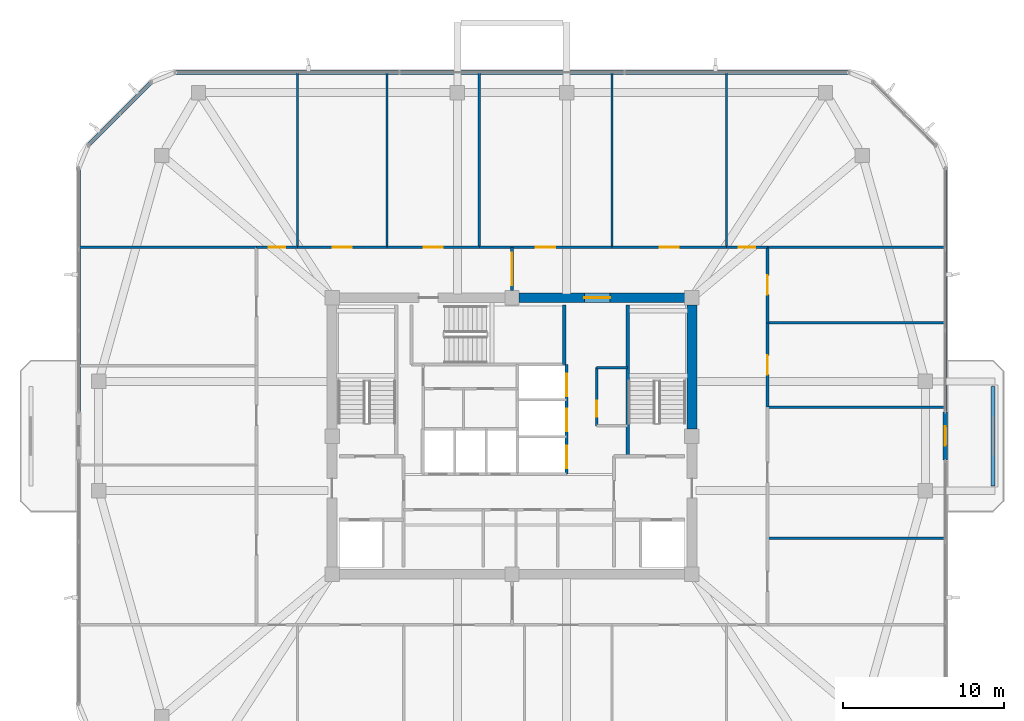
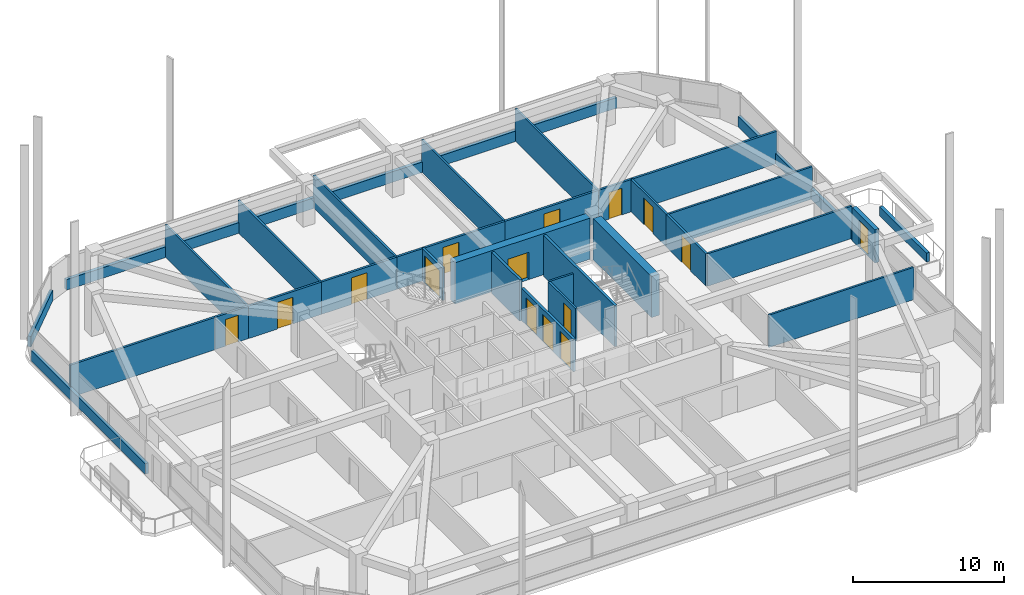
# One storey, part 12 of 17: 32 walls, 15 doors, 15 openings.
"""IFC4 building model written with IfcOpenShell, lengths in metres."""

from ifc_helpers import new_model, si_unit, derived_unit, direction, frame, frame_2d, origin, place, context, subcontext, project, spatial, rectangle, extrude, material, layer, layer_set, type_object, element, fill, save


model = new_model("IFC4")

# Units and contexts
model_context = context("Model", 3, precision=1e-05, world=origin(), true_north=direction((0.0, 1.0)))
body_context = subcontext(model_context, "Body", "Model", "MODEL_VIEW")
ifc_project = project(units=[si_unit("LENGTHUNIT", "METRE"), si_unit("AREAUNIT", "SQUARE_METRE"), si_unit("VOLUMEUNIT", "CUBIC_METRE"), si_unit("PLANEANGLEUNIT", "RADIAN"), si_unit("MASSUNIT", "GRAM", prefix="KILO"), derived_unit("THERMALTRANSMITTANCEUNIT", [(si_unit("POWERUNIT", "WATT"), 1), (si_unit("LENGTHUNIT", "METRE"), -2), (si_unit("THERMODYNAMICTEMPERATUREUNIT", "KELVIN"), -1)])], contexts=[model_context])

# Site, building, storey
site_placement = place(None, origin())
site = spatial("IfcSite", under=ifc_project, at=site_placement, CompositionType="ELEMENT")
building_placement = place(site_placement, origin())
building = spatial("IfcBuilding", under=site, at=building_placement, Name="Koralith Skygarden Medical Center", CompositionType="ELEMENT")
storey_placement = place(building_placement, frame((0.0, 0.0, 221.580078125)))
storey = spatial("IfcBuildingStorey", under=building, at=storey_placement, Name="L57", CompositionType="ELEMENT", Elevation=221.580078125)

# Wall, opening, door
ifc_material_1 = material(Name="Gypsum Board Partition")
ifc_layer_1 = layer(ifc_material_1, 0.14990234375)
ifc_layer_set_1 = layer_set([ifc_layer_1], Name="Gypsum Board Partition")
wall_type_1 = type_object("IfcWallType", Name="Clinical Acoustic Partition 150", PredefinedType="PARTITIONING", material=ifc_layer_set_1)
wall_1_placement = place(storey_placement, frame((42.27001953125, 26.5400390625, 0.0), z_axis=(0.0, 0.0, 1.0), x_axis=(0.0, 1.0, 0.0)))
wall_1 = element("IfcWall", 1, at=wall_1_placement, inside=storey, type_object=wall_type_1, Name="L57 Clinical Acoustic Partition 150 W-CORE-L57-ESUB-W", PredefinedType="PARTITIONING", context=body_context, shape_type="SweptSolid", body=[
    extrude(rectangle(XDim=3.619873046875, YDim=0.14990234375, at=frame_2d((1.81005859375, 0.0))), origin(), (0.0, 0.0, 1.0), 2.60986328125),
])
opening_1_placement = place(wall_1_placement, frame((0.550048828125, 0.0, 0.0)))
opening_1 = element("IfcOpeningElement", 2, at=opening_1_placement, cuts=wall_1, Name="Opening D-SUP", PredefinedType="OPENING", context=body_context, shape_type="SweptSolid", body=[
    extrude(rectangle(XDim=1.0, YDim=2.14990234375, at=frame_2d((0.5, 1.074951171875))), frame((0.0, 0.0849609375, 0.0), z_axis=(0.0, -1.0, 0.0), x_axis=(1.0, 0.0, 0.0)), (0.0, 0.0, 1.0), 0.169921875),
])
ifc_material_2 = material(Name="Aluminium 6063-T6", Category="aluminium")
door_type_1 = type_object("IfcDoorType", Name="Clinical Support Door D-SUP 1000", OperationType="NOTDEFINED", PredefinedType="DOOR", material=ifc_material_2)
door_1_placement = place(opening_1_placement, origin())
door_1 = element("IfcDoor", 3, at=door_1_placement, inside=storey, type_object=door_type_1, Name="L57 Core Equipment Store Door", OperationType="SINGLE_SWING_LEFT", OverallHeight=2.14990234375, OverallWidth=1.0, PredefinedType="DOOR", context=body_context, shape_type="SweptSolid", body=[
    extrude(rectangle(XDim=1.0, YDim=2.14990234375, at=frame_2d((0.5, 1.074951171875))), frame((0.0, 0.02490234375, 0.0), z_axis=(0.0, -1.0, 0.0), x_axis=(1.0, 0.0, 0.0)), (0.0, 0.0, 1.0), 0.050048828125),
])
fill(opening_1, door_1)

# Walls
wall_2_placement = place(storey_placement, frame((42.27001953125, 30.159912109375, 0.0), z_axis=(0.0, 0.0, 1.0), x_axis=(1.0, 0.0, 0.0)))
element("IfcWall", 4, at=wall_2_placement, inside=storey, type_object=wall_type_1, Name="L57 Clinical Acoustic Partition 150 W-CORE-L57-ESUB-N", PredefinedType="PARTITIONING", context=body_context, shape_type="SweptSolid", body=[
    extrude(rectangle(XDim=1.929931640625, YDim=0.14990234375, at=frame_2d((0.96484375, 0.0))), origin(), (0.0, 0.0, 1.0), 2.60986328125),
])
for number, where, z_axis, x_axis, name in (
    (5, (23.64990234375, 37.64990234375, 0.0), (0.0, 0.0, 1.0), (0.0, 1.0, 0.0), "L57 Clinical Acoustic Partition 150 W-PART-L57-N-01"),
    (6, (29.222900390625, 37.64990234375, 0.0), (0.0, 0.0, 1.0), (0.0, 1.0, 0.0), "L57 Clinical Acoustic Partition 150 W-PART-L57-N-02"),
    (7, (34.9619140625, 37.64990234375, 0.0), (0.0, 0.0, 1.0), (0.0, 1.0, 0.0), "L57 Clinical Acoustic Partition 150 W-PART-L57-N-03"),
    (8, (43.220947265625, 37.64990234375, 0.0), (0.0, 0.0, 1.0), (0.0, 1.0, 0.0), "L57 Clinical Acoustic Partition 150 W-PART-L57-N-04"),
    (9, (50.35009765625, 37.64990234375, 0.0), (0.0, 0.0, 1.0), (0.0, 1.0, 0.0), "L57 Clinical Acoustic Partition 150 W-PART-L57-N-05"),
):
    element("IfcWall", number, at=place(storey_placement, frame(where, z_axis=z_axis, x_axis=x_axis)), inside=storey, type_object=wall_type_1, Name=name, PredefinedType="PARTITIONING", context=body_context, shape_type="SweptSolid", body=[
        extrude(rectangle(XDim=10.85009765625, YDim=0.14990234375, at=frame_2d((5.425048828125, 0.0))), origin(), (0.0, 0.0, 1.0), 2.60986328125),
    ])
for number, where, z_axis, x_axis, name in (
    (10, (52.89990234375, 19.554931640625, 0.0), (0.0, 0.0, 1.0), (1.0, 0.0, 0.0), "L57 Clinical Acoustic Partition 150 W-PART-L57-E-01"),
    (11, (52.89990234375, 27.699951171875, 0.0), (0.0, 0.0, 1.0), (1.0, 0.0, 0.0), "L57 Clinical Acoustic Partition 150 W-PART-L57-E-02"),
    (12, (52.89990234375, 32.949951171875, 0.0), (0.0, 0.0, 1.0), (1.0, 0.0, 0.0), "L57 Clinical Acoustic Partition 150 W-PART-L57-E-03"),
):
    element("IfcWall", number, at=place(storey_placement, frame(where, z_axis=z_axis, x_axis=x_axis)), inside=storey, type_object=wall_type_1, Name=name, PredefinedType="PARTITIONING", context=body_context, shape_type="SweptSolid", body=[
        extrude(rectangle(XDim=11.0419921875, YDim=0.14990234375, at=frame_2d((5.52099609375, 0.0))), origin(), (0.0, 0.0, 1.0), 2.60986328125),
    ])
ifc_layer_2 = layer(ifc_material_1, 0.1650390625)
ifc_layer_set_2 = layer_set([ifc_layer_2], Name="Gypsum Board Partition")
wall_type_2 = type_object("IfcWallType", Name="Clinical Corridor Partition 165", PredefinedType="PARTITIONING", material=ifc_layer_set_2)
for number, where, z_axis, x_axis, name in (
    (13, (10.05810546875, 37.64990234375, 0.0), (0.0, 0.0, 1.0), (1.0, 0.0, 0.0), "L57 Clinical Corridor Partition 165 W-WB-L57-NW"),
    (14, (52.89990234375, 37.64990234375, 0.0), (0.0, 0.0, 1.0), (1.0, 0.0, 0.0), "L57 Clinical Corridor Partition 165 W-WB-L57-NE"),
):
    element("IfcWall", number, at=place(storey_placement, frame(where, z_axis=z_axis, x_axis=x_axis)), inside=storey, type_object=wall_type_2, Name=name, PredefinedType="PARTITIONING", context=body_context, shape_type="SweptSolid", body=[
        extrude(rectangle(XDim=11.0419921875, YDim=0.1650390625, at=frame_2d((5.52099609375, 0.0))), origin(), (0.0, 0.0, 1.0), 2.60986328125),
    ])

# Wall, opening, door
wall_3_placement = place(storey_placement, frame((21.10009765625, 37.64990234375, 0.0), z_axis=(0.0, 0.0, 1.0), x_axis=(1.0, 0.0, 0.0)))
wall_3 = element("IfcWall", 15, at=wall_3_placement, inside=storey, type_object=wall_type_2, Name="L57 Clinical Corridor Partition 165 W-CORR-L57-N-01", PredefinedType="PARTITIONING", context=body_context, shape_type="SweptSolid", body=[
    extrude(rectangle(XDim=2.5498046875, YDim=0.1650390625, at=frame_2d((1.27490234375, 0.0))), origin(), (0.0, 0.0, 1.0), 2.60986328125),
])
opening_2_placement = place(wall_3_placement, frame((0.77490234375, 0.0, 0.0)))
opening_2 = element("IfcOpeningElement", 16, at=opening_2_placement, cuts=wall_3, Name="Opening D-SUP", PredefinedType="OPENING", context=body_context, shape_type="SweptSolid", body=[
    extrude(rectangle(XDim=1.0, YDim=2.14990234375, at=frame_2d((0.5, 1.074951171875))), frame((0.0, 0.092529296875, 0.0), z_axis=(0.0, -1.0, 0.0), x_axis=(1.0, 0.0, 0.0)), (0.0, 0.0, 1.0), 0.18505859375),
])
door_2_placement = place(opening_2_placement, origin())
door_2 = element("IfcDoor", 17, at=door_2_placement, inside=storey, type_object=door_type_1, Name="L57 Medical Resident Teaching Seminar Room 01 Door", OperationType="SINGLE_SWING_RIGHT", OverallHeight=2.14990234375, OverallWidth=1.0, PredefinedType="DOOR", context=body_context, shape_type="SweptSolid", body=[
    extrude(rectangle(XDim=1.0, YDim=2.14990234375, at=frame_2d((0.5, 1.074951171875))), frame((0.0, 0.02490234375, 0.0), z_axis=(0.0, -1.0, 0.0), x_axis=(1.0, 0.0, 0.0)), (0.0, 0.0, 1.0), 0.050048828125),
])
fill(opening_2, door_2)

wall_4_placement = place(storey_placement, frame((23.64990234375, 37.64990234375, 0.0), z_axis=(0.0, 0.0, 1.0), x_axis=(1.0, 0.0, 0.0)))
wall_4 = element("IfcWall", 18, at=wall_4_placement, inside=storey, type_object=wall_type_2, Name="L57 Clinical Corridor Partition 165 W-CORR-L57-N-02", PredefinedType="PARTITIONING", context=body_context, shape_type="SweptSolid", body=[
    extrude(rectangle(XDim=5.572998046875, YDim=0.1650390625, at=frame_2d((2.78662109375, 0.0))), origin(), (0.0, 0.0, 1.0), 2.60986328125),
])
opening_3_placement = place(wall_4_placement, frame((2.18701171875, 0.0, 0.0)))
opening_3 = element("IfcOpeningElement", 19, at=opening_3_placement, cuts=wall_4, Name="Opening D-CLN", PredefinedType="OPENING", context=body_context, shape_type="SweptSolid", body=[
    extrude(rectangle(XDim=1.199951171875, YDim=2.14990234375, at=frame_2d((0.60009765625, 1.074951171875))), frame((0.0, 0.092529296875, 0.0), z_axis=(0.0, -1.0, 0.0), x_axis=(1.0, 0.0, 0.0)), (0.0, 0.0, 1.0), 0.18505859375),
])
door_type_2 = type_object("IfcDoorType", Name="Clinical Corridor Door D-CLN 1200", OperationType="NOTDEFINED", PredefinedType="DOOR", material=ifc_material_2)
door_3_placement = place(opening_3_placement, origin())
door_3 = element("IfcDoor", 20, at=door_3_placement, inside=storey, type_object=door_type_2, Name="L57 Care Coordinator Office 02 Door", OperationType="SINGLE_SWING_LEFT", OverallHeight=2.14990234375, OverallWidth=1.199951171875, PredefinedType="DOOR", context=body_context, shape_type="SweptSolid", body=[
    extrude(rectangle(XDim=1.199951171875, YDim=2.14990234375, at=frame_2d((0.60009765625, 1.074951171875))), frame((0.0, 0.02490234375, 0.0), z_axis=(0.0, -1.0, 0.0), x_axis=(1.0, 0.0, 0.0)), (0.0, 0.0, 1.0), 0.050048828125),
])
fill(opening_3, door_3)

wall_5_placement = place(storey_placement, frame((29.222900390625, 37.64990234375, 0.0), z_axis=(0.0, 0.0, 1.0), x_axis=(1.0, 0.0, 0.0)))
wall_5 = element("IfcWall", 21, at=wall_5_placement, inside=storey, type_object=wall_type_2, Name="L57 Clinical Corridor Partition 165 W-CORR-L57-N-03", PredefinedType="PARTITIONING", context=body_context, shape_type="SweptSolid", body=[
    extrude(rectangle(XDim=5.739013671875, YDim=0.1650390625, at=frame_2d((2.86962890625, 0.0))), origin(), (0.0, 0.0, 1.0), 2.60986328125),
])
opening_4_placement = place(wall_5_placement, frame((2.27001953125, 0.0, 0.0)))
opening_4 = element("IfcOpeningElement", 22, at=opening_4_placement, cuts=wall_5, Name="Opening D-CLN", PredefinedType="OPENING", context=body_context, shape_type="SweptSolid", body=[
    extrude(rectangle(XDim=1.199951171875, YDim=2.14990234375, at=frame_2d((0.60009765625, 1.074951171875))), frame((0.0, 0.092529296875, 0.0), z_axis=(0.0, -1.0, 0.0), x_axis=(1.0, 0.0, 0.0)), (0.0, 0.0, 1.0), 0.18505859375),
])
door_4_placement = place(opening_4_placement, origin())
door_4 = element("IfcDoor", 23, at=door_4_placement, inside=storey, type_object=door_type_2, Name="L57 Sterile Supply Equipment Store 03 Door", OperationType="SINGLE_SWING_RIGHT", OverallHeight=2.14990234375, OverallWidth=1.199951171875, PredefinedType="DOOR", context=body_context, shape_type="SweptSolid", body=[
    extrude(rectangle(XDim=1.199951171875, YDim=2.14990234375, at=frame_2d((0.60009765625, 1.074951171875))), frame((0.0, 0.02490234375, 0.0), z_axis=(0.0, -1.0, 0.0), x_axis=(1.0, 0.0, 0.0)), (0.0, 0.0, 1.0), 0.050048828125),
])
fill(opening_4, door_4)

wall_6_placement = place(storey_placement, frame((34.9619140625, 37.64990234375, 0.0), z_axis=(0.0, 0.0, 1.0), x_axis=(1.0, 0.0, 0.0)))
wall_6 = element("IfcWall", 24, at=wall_6_placement, inside=storey, type_object=wall_type_2, Name="L57 Clinical Corridor Partition 165 W-CORR-L57-N-04", PredefinedType="PARTITIONING", context=body_context, shape_type="SweptSolid", body=[
    extrude(rectangle(XDim=8.259033203125, YDim=0.1650390625, at=frame_2d((4.12939453125, 0.0))), origin(), (0.0, 0.0, 1.0), 2.60986328125),
])
opening_5_placement = place(wall_6_placement, frame((3.529052734375, 0.0, 0.0)))
opening_5 = element("IfcOpeningElement", 25, at=opening_5_placement, cuts=wall_6, Name="Opening D-CLN", PredefinedType="OPENING", context=body_context, shape_type="SweptSolid", body=[
    extrude(rectangle(XDim=1.199951171875, YDim=2.14990234375, at=frame_2d((0.60009765625, 1.074951171875))), frame((0.0, 0.092529296875, 0.0), z_axis=(0.0, -1.0, 0.0), x_axis=(1.0, 0.0, 0.0)), (0.0, 0.0, 1.0), 0.18505859375),
])
door_5_placement = place(opening_5_placement, origin())
door_5 = element("IfcDoor", 26, at=door_5_placement, inside=storey, type_object=door_type_2, Name="L57 Clinical Consultation Office 04 Door", OperationType="SINGLE_SWING_LEFT", OverallHeight=2.14990234375, OverallWidth=1.199951171875, PredefinedType="DOOR", context=body_context, shape_type="SweptSolid", body=[
    extrude(rectangle(XDim=1.199951171875, YDim=2.14990234375, at=frame_2d((0.60009765625, 1.074951171875))), frame((0.0, 0.02490234375, 0.0), z_axis=(0.0, -1.0, 0.0), x_axis=(1.0, 0.0, 0.0)), (0.0, 0.0, 1.0), 0.050048828125),
])
fill(opening_5, door_5)

wall_7_placement = place(storey_placement, frame((43.220947265625, 37.64990234375, 0.0), z_axis=(0.0, 0.0, 1.0), x_axis=(1.0, 0.0, 0.0)))
wall_7 = element("IfcWall", 27, at=wall_7_placement, inside=storey, type_object=wall_type_2, Name="L57 Clinical Corridor Partition 165 W-CORR-L57-N-05", PredefinedType="PARTITIONING", context=body_context, shape_type="SweptSolid", body=[
    extrude(rectangle(XDim=7.129150390625, YDim=0.1650390625, at=frame_2d((3.564453125, 0.0))), origin(), (0.0, 0.0, 1.0), 2.60986328125),
])
opening_6_placement = place(wall_7_placement, frame((2.965087890625, 0.0, 0.0)))
opening_6 = element("IfcOpeningElement", 28, at=opening_6_placement, cuts=wall_7, Name="Opening D-CLN", PredefinedType="OPENING", context=body_context, shape_type="SweptSolid", body=[
    extrude(rectangle(XDim=1.199951171875, YDim=2.14990234375, at=frame_2d((0.60009765625, 1.074951171875))), frame((0.0, 0.092529296875, 0.0), z_axis=(0.0, -1.0, 0.0), x_axis=(1.0, 0.0, 0.0)), (0.0, 0.0, 1.0), 0.18505859375),
])
door_6_placement = place(opening_6_placement, origin())
door_6 = element("IfcDoor", 29, at=door_6_placement, inside=storey, type_object=door_type_2, Name="L57 Medical Resident Teaching Seminar Room 05 Door", OperationType="SINGLE_SWING_RIGHT", OverallHeight=2.14990234375, OverallWidth=1.199951171875, PredefinedType="DOOR", context=body_context, shape_type="SweptSolid", body=[
    extrude(rectangle(XDim=1.199951171875, YDim=2.14990234375, at=frame_2d((0.60009765625, 1.074951171875))), frame((0.0, 0.02490234375, 0.0), z_axis=(0.0, -1.0, 0.0), x_axis=(1.0, 0.0, 0.0)), (0.0, 0.0, 1.0), 0.050048828125),
])
fill(opening_6, door_6)

wall_8_placement = place(storey_placement, frame((50.35009765625, 37.64990234375, 0.0), z_axis=(0.0, 0.0, 1.0), x_axis=(1.0, 0.0, 0.0)))
wall_8 = element("IfcWall", 30, at=wall_8_placement, inside=storey, type_object=wall_type_2, Name="L57 Clinical Corridor Partition 165 W-CORR-L57-N-06", PredefinedType="PARTITIONING", context=body_context, shape_type="SweptSolid", body=[
    extrude(rectangle(XDim=2.5498046875, YDim=0.1650390625, at=frame_2d((1.27490234375, 0.0))), origin(), (0.0, 0.0, 1.0), 2.60986328125),
])
opening_7_placement = place(wall_8_placement, frame((0.77490234375, 0.0, 0.0)))
opening_7 = element("IfcOpeningElement", 31, at=opening_7_placement, cuts=wall_8, Name="Opening D-SUP", PredefinedType="OPENING", context=body_context, shape_type="SweptSolid", body=[
    extrude(rectangle(XDim=1.0, YDim=2.14990234375, at=frame_2d((0.5, 1.074951171875))), frame((0.0, 0.092529296875, 0.0), z_axis=(0.0, -1.0, 0.0), x_axis=(1.0, 0.0, 0.0)), (0.0, 0.0, 1.0), 0.18505859375),
])
door_7_placement = place(opening_7_placement, origin())
door_7 = element("IfcDoor", 32, at=door_7_placement, inside=storey, type_object=door_type_1, Name="L57 Care Coordinator Office 06 Door", OperationType="SINGLE_SWING_LEFT", OverallHeight=2.14990234375, OverallWidth=1.0, PredefinedType="DOOR", context=body_context, shape_type="SweptSolid", body=[
    extrude(rectangle(XDim=1.0, YDim=2.14990234375, at=frame_2d((0.5, 1.074951171875))), frame((0.0, 0.02490234375, 0.0), z_axis=(0.0, -1.0, 0.0), x_axis=(1.0, 0.0, 0.0)), (0.0, 0.0, 1.0), 0.050048828125),
])
fill(opening_7, door_7)

wall_9_placement = place(storey_placement, frame((52.89990234375, 27.699951171875, 0.0), z_axis=(0.0, 0.0, 1.0), x_axis=(0.0, 1.0, 0.0)))
wall_9 = element("IfcWall", 33, at=wall_9_placement, inside=storey, type_object=wall_type_2, Name="L57 Clinical Corridor Partition 165 W-CORR-L57-E-03", PredefinedType="PARTITIONING", context=body_context, shape_type="SweptSolid", body=[
    extrude(rectangle(XDim=5.25, YDim=0.1650390625, at=frame_2d((2.625, 0.0))), origin(), (0.0, 0.0, 1.0), 2.60986328125),
])
opening_8_placement = place(wall_9_placement, frame((2.02490234375, 0.0, 0.0)))
opening_8 = element("IfcOpeningElement", 34, at=opening_8_placement, cuts=wall_9, Name="Opening D-CLN", PredefinedType="OPENING", context=body_context, shape_type="SweptSolid", body=[
    extrude(rectangle(XDim=1.199951171875, YDim=2.14990234375, at=frame_2d((0.60009765625, 1.074951171875))), frame((0.0, 0.092529296875, 0.0), z_axis=(0.0, -1.0, 0.0), x_axis=(1.0, 0.0, 0.0)), (0.0, 0.0, 1.0), 0.18505859375),
])
door_8_placement = place(opening_8_placement, origin())
door_8 = element("IfcDoor", 35, at=door_8_placement, inside=storey, type_object=door_type_2, Name="L57 Clinical Consultation Office 18 Door", OperationType="SINGLE_SWING_LEFT", OverallHeight=2.14990234375, OverallWidth=1.199951171875, PredefinedType="DOOR", context=body_context, shape_type="SweptSolid", body=[
    extrude(rectangle(XDim=1.199951171875, YDim=2.14990234375, at=frame_2d((0.60009765625, 1.074951171875))), frame((0.0, 0.02490234375, 0.0), z_axis=(0.0, -1.0, 0.0), x_axis=(1.0, 0.0, 0.0)), (0.0, 0.0, 1.0), 0.050048828125),
])
fill(opening_8, door_8)

wall_10_placement = place(storey_placement, frame((52.89990234375, 32.949951171875, 0.0), z_axis=(0.0, 0.0, 1.0), x_axis=(0.0, 1.0, 0.0)))
wall_10 = element("IfcWall", 36, at=wall_10_placement, inside=storey, type_object=wall_type_2, Name="L57 Clinical Corridor Partition 165 W-CORR-L57-E-04", PredefinedType="PARTITIONING", context=body_context, shape_type="SweptSolid", body=[
    extrude(rectangle(XDim=4.699951171875, YDim=0.1650390625, at=frame_2d((2.35009765625, 0.0))), origin(), (0.0, 0.0, 1.0), 2.60986328125),
])
opening_9_placement = place(wall_10_placement, frame((1.75, 0.0, 0.0)))
opening_9 = element("IfcOpeningElement", 37, at=opening_9_placement, cuts=wall_10, Name="Opening D-CLN", PredefinedType="OPENING", context=body_context, shape_type="SweptSolid", body=[
    extrude(rectangle(XDim=1.199951171875, YDim=2.14990234375, at=frame_2d((0.60009765625, 1.074951171875))), frame((0.0, 0.092529296875, 0.0), z_axis=(0.0, -1.0, 0.0), x_axis=(1.0, 0.0, 0.0)), (0.0, 0.0, 1.0), 0.18505859375),
])
door_9_placement = place(opening_9_placement, origin())
door_9 = element("IfcDoor", 38, at=door_9_placement, inside=storey, type_object=door_type_2, Name="L57 Medical Resident Teaching Seminar Room 19 Door", OperationType="SINGLE_SWING_RIGHT", OverallHeight=2.14990234375, OverallWidth=1.199951171875, PredefinedType="DOOR", context=body_context, shape_type="SweptSolid", body=[
    extrude(rectangle(XDim=1.199951171875, YDim=2.14990234375, at=frame_2d((0.60009765625, 1.074951171875))), frame((0.0, 0.02490234375, 0.0), z_axis=(0.0, -1.0, 0.0), x_axis=(1.0, 0.0, 0.0)), (0.0, 0.0, 1.0), 0.050048828125),
])
fill(opening_9, door_9)

# Wall, openings, doors
ifc_layer_3 = layer(ifc_material_1, 0.199951171875)
ifc_layer_set_3 = layer_set([ifc_layer_3], Name="Gypsum Board Partition")
wall_type_3 = type_object("IfcWallType", Name="Fire Shaft Wall 200", PredefinedType="SOLIDWALL", material=ifc_layer_set_3)
wall_11_placement = place(storey_placement, frame((40.39990234375, 23.5400390625, 0.0), z_axis=(0.0, 0.0, 1.0), x_axis=(0.0, 1.0, 0.0)))
wall_11 = element("IfcWall", 39, at=wall_11_placement, inside=storey, type_object=wall_type_3, Name="L57 Fire Shaft Wall 200 W-CORE-L57-SV-E", PredefinedType="SOLIDWALL", context=body_context, shape_type="SweptSolid", body=[
    extrude(rectangle(XDim=6.820068359375, YDim=0.199951171875, at=frame_2d((3.41015625, 0.0))), origin(), (0.0, 0.0, 1.0), 2.60986328125),
])
opening_10_placement = place(wall_11_placement, frame((0.35009765625, 0.0, 0.0)))
opening_10 = element("IfcOpeningElement", 40, at=opening_10_placement, cuts=wall_11, Name="Opening LD-SV", PredefinedType="OPENING", context=body_context, shape_type="SweptSolid", body=[
    extrude(rectangle(XDim=1.39990234375, YDim=2.199951171875, at=frame_2d((0.699951171875, 1.10009765625))), frame((0.0, 0.10986328125, 0.0), z_axis=(0.0, -1.0, 0.0), x_axis=(1.0, 0.0, 0.0)), (0.0, 0.0, 1.0), 0.219970703125),
])
opening_11_placement = place(wall_11_placement, frame((2.64990234375, 0.0, 0.0)))
opening_11 = element("IfcOpeningElement", 41, at=opening_11_placement, cuts=wall_11, Name="Opening LD-SV", PredefinedType="OPENING", context=body_context, shape_type="SweptSolid", body=[
    extrude(rectangle(XDim=1.39990234375, YDim=2.199951171875, at=frame_2d((0.699951171875, 1.10009765625))), frame((0.0, 0.10986328125, 0.0), z_axis=(0.0, -1.0, 0.0), x_axis=(1.0, 0.0, 0.0)), (0.0, 0.0, 1.0), 0.219970703125),
])
opening_12_placement = place(wall_11_placement, frame((4.85009765625, 0.0, 0.0)))
opening_12 = element("IfcOpeningElement", 42, at=opening_12_placement, cuts=wall_11, Name="Opening LD-SV", PredefinedType="OPENING", context=body_context, shape_type="SweptSolid", body=[
    extrude(rectangle(XDim=1.39990234375, YDim=2.199951171875, at=frame_2d((0.699951171875, 1.10009765625))), frame((0.0, 0.10986328125, 0.0), z_axis=(0.0, -1.0, 0.0), x_axis=(1.0, 0.0, 0.0)), (0.0, 0.0, 1.0), 0.219970703125),
])
ifc_material_3 = material(Name="Steel ASTM A500 Grade C", Category="steel")
door_type_3 = type_object("IfcDoorType", Name="Bed Lift Sliding Landing Door LD-SV 1400", OperationType="NOTDEFINED", PredefinedType="DOOR", material=ifc_material_3)
door_10_placement = place(opening_10_placement, origin())
door_10 = element("IfcDoor", 43, at=door_10_placement, inside=storey, type_object=door_type_3, Name="L57 Bed Elevator BD1 Landing Door", OperationType="SLIDING_TO_LEFT", OverallHeight=2.199951171875, OverallWidth=1.39990234375, PredefinedType="DOOR", context=body_context, shape_type="SweptSolid", body=[
    extrude(rectangle(XDim=1.39990234375, YDim=2.199951171875, at=frame_2d((0.699951171875, 1.10009765625))), frame((0.0, 0.02490234375, 0.0), z_axis=(0.0, -1.0, 0.0), x_axis=(1.0, 0.0, 0.0)), (0.0, 0.0, 1.0), 0.050048828125),
])
fill(opening_10, door_10)
door_11_placement = place(opening_11_placement, origin())
door_11 = element("IfcDoor", 44, at=door_11_placement, inside=storey, type_object=door_type_3, Name="L57 Service Elevator BD2 Landing Door", OperationType="SLIDING_TO_LEFT", OverallHeight=2.199951171875, OverallWidth=1.39990234375, PredefinedType="DOOR", context=body_context, shape_type="SweptSolid", body=[
    extrude(rectangle(XDim=1.39990234375, YDim=2.199951171875, at=frame_2d((0.699951171875, 1.10009765625))), frame((0.0, 0.02490234375, 0.0), z_axis=(0.0, -1.0, 0.0), x_axis=(1.0, 0.0, 0.0)), (0.0, 0.0, 1.0), 0.050048828125),
])
fill(opening_11, door_11)
door_12_placement = place(opening_12_placement, origin())
door_12 = element("IfcDoor", 45, at=door_12_placement, inside=storey, type_object=door_type_3, Name="L57 Trauma Elevator TR1 Landing Door", OperationType="SLIDING_TO_RIGHT", OverallHeight=2.199951171875, OverallWidth=1.39990234375, PredefinedType="DOOR", context=body_context, shape_type="SweptSolid", body=[
    extrude(rectangle(XDim=1.39990234375, YDim=2.199951171875, at=frame_2d((0.699951171875, 1.10009765625))), frame((0.0, 0.02490234375, 0.0), z_axis=(0.0, -1.0, 0.0), x_axis=(1.0, 0.0, 0.0)), (0.0, 0.0, 1.0), 0.050048828125),
])
fill(opening_12, door_12)

# Wall, opening, door
ifc_layer_4 = layer(ifc_material_1, 0.179931640625)
ifc_layer_set_4 = layer_set([ifc_layer_4], Name="Gypsum Board Partition")
wall_type_4 = type_object("IfcWallType", Name="Group I-2 Smoke Barrier Wall 180", PredefinedType="PARTITIONING", material=ifc_layer_set_4)
wall_12_placement = place(storey_placement, frame((37.0, 34.949951171875, 0.0), z_axis=(0.0, 0.0, 1.0), x_axis=(0.0, 1.0, 0.0)))
wall_12 = element("IfcWall", 46, at=wall_12_placement, inside=storey, type_object=wall_type_4, Name="L57 Group I-2 Smoke Barrier Wall 180 W-SMK-L57-N", PredefinedType="PARTITIONING", context=body_context, shape_type="SweptSolid", body=[
    extrude(rectangle(XDim=2.699951171875, YDim=0.179931640625, at=frame_2d((1.35009765625, 0.0))), origin(), (0.0, 0.0, 1.0), 2.60986328125),
])
opening_13_placement = place(wall_12_placement, frame((0.35009765625, 0.0, 0.0)))
opening_13 = element("IfcOpeningElement", 47, at=opening_13_placement, cuts=wall_12, Name="Opening D-SMK", PredefinedType="OPENING", context=body_context, shape_type="SweptSolid", body=[
    extrude(rectangle(XDim=2.0, YDim=2.199951171875, at=frame_2d((1.0, 1.10009765625))), frame((0.0, 0.099853515625, 0.0), z_axis=(0.0, -1.0, 0.0), x_axis=(1.0, 0.0, 0.0)), (0.0, 0.0, 1.0), 0.199951171875),
])
door_type_4 = type_object("IfcDoorType", Name="Cross-Corridor Double Smoke Door FD60S 2000", OperationType="NOTDEFINED", PredefinedType="DOOR", material=ifc_material_3)
door_13_placement = place(opening_13_placement, origin())
door_13 = element("IfcDoor", 48, at=door_13_placement, inside=storey, type_object=door_type_4, Name="L57 N Smoke Compartment Cross-Corridor Door", OperationType="DOUBLE_DOOR_SINGLE_SWING", OverallHeight=2.199951171875, OverallWidth=2.0, PredefinedType="DOOR", context=body_context, shape_type="SweptSolid", body=[
    extrude(rectangle(XDim=2.0, YDim=2.199951171875, at=frame_2d((1.0, 1.10009765625))), frame((0.0, 0.02490234375, 0.0), z_axis=(0.0, -1.0, 0.0), x_axis=(1.0, 0.0, 0.0)), (0.0, 0.0, 1.0), 0.050048828125),
])
fill(opening_13, door_13)

# Walls
ifc_material_4 = material(Name="Warm Oolitic Limestone Cladding", Category="masonry")
ifc_layer_5 = layer(ifc_material_4, 0.239990234375)
ifc_layer_set_5 = layer_set([ifc_layer_5], Name="Warm Oolitic Limestone Cladding")
wall_type_5 = type_object("IfcWallType", Name="Limestone Spandrel Sill Backup Wall 240", PredefinedType="SOLIDWALL", material=ifc_layer_set_5)
wall_13_placement = place(storey_placement, frame((63.9619140625, 27.43994140625, 0.0), z_axis=(0.0, 0.0, 1.0), x_axis=(0.0, 1.0, 0.0)))
element("IfcWall", 49, at=wall_13_placement, inside=storey, type_object=wall_type_5, Name="L57 Sill Spandrel E-R", PredefinedType="SOLIDWALL", context=body_context, shape_type="SweptSolid", body=[
    extrude(rectangle(XDim=15.10498046875, YDim=0.239990234375, at=frame_2d((7.552490234375, 0.0))), origin(), (0.0, 0.0, 1.0), 0.849853515625),
])
wall_14_placement = place(storey_placement, frame((57.987060546875, 48.52001953125, 0.0), z_axis=(0.0, 0.0, 1.0), x_axis=(-1.0, 0.0, 0.0)))
element("IfcWall", 50, at=wall_14_placement, inside=storey, type_object=wall_type_5, Name="L57 Sill Spandrel N", PredefinedType="SOLIDWALL", context=body_context, shape_type="SweptSolid", body=[
    extrude(rectangle(XDim=41.97412109375, YDim=0.239990234375, at=frame_2d((20.987060546875, 0.0))), origin(), (0.0, 0.0, 1.0), 0.849853515625),
])
wall_15_placement = place(storey_placement, frame((14.56201171875, 47.9189453125, 0.0), z_axis=(0.0, 0.0, 1.0), x_axis=(-0.707128783731, -0.707084777957, 0.0)))
element("IfcWall", 51, at=wall_15_placement, inside=storey, type_object=wall_type_5, Name="L57 Sill Spandrel NW", PredefinedType="SOLIDWALL", context=body_context, shape_type="SweptSolid", body=[
    extrude(rectangle(XDim=5.5478515625, YDim=0.239990234375, at=frame_2d((2.77392578125, 0.0))), origin(), (0.0, 0.0, 1.0), 0.849853515625),
])
wall_16_placement = place(storey_placement, frame((10.0380859375, 42.544921875, 0.0), z_axis=(0.0, 0.0, 1.0), x_axis=(0.0, -1.0, 0.0)))
element("IfcWall", 52, at=wall_16_placement, inside=storey, type_object=wall_type_5, Name="L57 Sill Spandrel W-L", PredefinedType="SOLIDWALL", context=body_context, shape_type="SweptSolid", body=[
    extrude(rectangle(XDim=15.10498046875, YDim=0.239990234375, at=frame_2d((7.552490234375, 0.0))), origin(), (0.0, 0.0, 1.0), 0.849853515625),
])

# Wall, opening, door
ifc_layer_6 = layer(ifc_material_4, 0.300048828125)
ifc_layer_set_6 = layer_set([ifc_layer_6], Name="Warm Oolitic Limestone Cladding")
wall_type_6 = type_object("IfcWallType", Name="Oolitic Limestone Insulated Facade Wall 300", PredefinedType="SOLIDWALL", material=ifc_layer_set_6)
wall_17_placement = place(storey_placement, frame((63.9619140625, 24.39990234375, 0.0), z_axis=(0.0, 0.0, 1.0), x_axis=(0.0, 1.0, 0.0)))
wall_17 = element("IfcWall", 53, at=wall_17_placement, inside=storey, type_object=wall_type_6, Name="L57 Terrace Portal Wall E", PredefinedType="SOLIDWALL", context=body_context, shape_type="SweptSolid", body=[
    extrude(rectangle(XDim=3.0, YDim=0.300048828125, at=frame_2d((1.5, 0.0))), origin(), (0.0, 0.0, 1.0), 2.68994140625),
])
opening_14_placement = place(wall_17_placement, frame((0.89990234375, 0.0, 0.0)))
opening_14 = element("IfcOpeningElement", 54, at=opening_14_placement, cuts=wall_17, Name="Opening D-BAL", PredefinedType="OPENING", context=body_context, shape_type="SweptSolid", body=[
    extrude(rectangle(XDim=1.199951171875, YDim=2.199951171875, at=frame_2d((0.60009765625, 1.10009765625))), frame((0.0, 0.159912109375, 0.0), z_axis=(0.0, -1.0, 0.0), x_axis=(1.0, 0.0, 0.0)), (0.0, 0.0, 1.0), 0.320068359375),
])
door_type_5 = type_object("IfcDoorType", Name="Planted Balcony Glazed Terrace Door D-BAL 1200", OperationType="NOTDEFINED", PredefinedType="DOOR", material=ifc_material_2)
door_14_placement = place(opening_14_placement, origin())
door_14 = element("IfcDoor", 55, at=door_14_placement, inside=storey, type_object=door_type_5, Name="L57 E Outdoor Terrace Access Door", OperationType="SINGLE_SWING_RIGHT", OverallHeight=2.199951171875, OverallWidth=1.199951171875, PredefinedType="DOOR", context=body_context, shape_type="SweptSolid", body=[
    extrude(rectangle(XDim=1.199951171875, YDim=2.199951171875, at=frame_2d((0.60009765625, 1.10009765625))), frame((0.0, 0.02490234375, 0.0), z_axis=(0.0, -1.0, 0.0), x_axis=(1.0, 0.0, 0.0)), (0.0, 0.0, 1.0), 0.050048828125),
])
fill(opening_14, door_14)

# Walls
ifc_material_5 = material(Name="Precast concrete C40/50", Category="concrete")
ifc_layer_7 = layer(ifc_material_5, 0.25)
ifc_layer_set_7 = layer_set([ifc_layer_7], Name="Precast concrete C40/50")
wall_type_7 = type_object("IfcWallType", Name="Structural Concrete Balcony Planter Kerb 250", PredefinedType="PARAPET", material=ifc_layer_set_7)
wall_18_placement = place(storey_placement, frame((66.94189453125, 22.800048828125, 0.0), z_axis=(0.0, 0.0, 1.0), x_axis=(0.0, 1.0, 0.0)))
element("IfcWall", 56, at=wall_18_placement, inside=storey, type_object=wall_type_7, Name="L57 E Structural Tree PLANTER Box", PredefinedType="PARAPET", context=body_context, shape_type="SweptSolid", body=[
    extrude(rectangle(XDim=6.199951171875, YDim=0.25, at=frame_2d((3.10009765625, 0.0))), origin(), (0.0, 0.0, 1.0), 0.719970703125),
])
ifc_material_6 = material(Name="Concrete C45/55", Category="concrete")
ifc_layer_8 = layer(ifc_material_6, 0.199951171875)
ifc_layer_set_8 = layer_set([ifc_layer_8], Name="Concrete C45/55")
wall_type_8 = type_object("IfcWallType", Name="Structural Stair Shaft Wall 200", PredefinedType="SHEAR", material=ifc_layer_set_8)
wall_19_placement = place(storey_placement, frame((44.199951171875, 24.64990234375, 0.0), z_axis=(0.0, 0.0, 1.0), x_axis=(0.0, 1.0, 0.0)))
element("IfcWall", 57, at=wall_19_placement, inside=storey, type_object=wall_type_8, Name="L57 Structural Stair Shaft Wall 200 W-CORE-L57-ST2-W", PredefinedType="SHEAR", context=body_context, shape_type="SweptSolid", body=[
    extrude(rectangle(XDim=9.400146484375, YDim=0.199951171875, at=frame_2d((4.7001953125, 0.0))), origin(), (0.0, 0.0, 1.0), 3.31982421875),
])
wall_20_placement = place(storey_placement, frame((40.25, 30.360107421875, 0.0), z_axis=(0.0, 0.0, 1.0), x_axis=(0.0, 1.0, 0.0)))
element("IfcWall", 58, at=wall_20_placement, inside=storey, type_object=wall_type_8, Name="L57 Structural Stair Shaft Wall 200 W-CORE-L57-ST3-E", PredefinedType="SHEAR", context=body_context, shape_type="SweptSolid", body=[
    extrude(rectangle(XDim=3.68994140625, YDim=0.199951171875, at=frame_2d((1.844970703125, 0.0))), origin(), (0.0, 0.0, 1.0), 3.31982421875),
])
ifc_material_7 = material(Name="Concrete C55/67", Category="concrete")
ifc_layer_9 = layer(ifc_material_7, 0.60009765625)
ifc_layer_set_9 = layer_set([ifc_layer_9], Name="Concrete C55/67")
wall_type_9 = type_object("IfcWallType", Name="Upper Core Shear Wall 600", PredefinedType="SHEAR", material=ifc_layer_set_9)
wall_21_placement = place(storey_placement, frame((48.199951171875, 26.344970703125, 0.0), z_axis=(0.0, 0.0, 1.0), x_axis=(0.0, 1.0, 0.0)))
element("IfcWall", 59, at=wall_21_placement, inside=storey, type_object=wall_type_9, Name="L57 Core Shear Wall Segment 4", PredefinedType="SHEAR", context=body_context, shape_type="SweptSolid", body=[
    extrude(rectangle(XDim=7.7099609375, YDim=0.60009765625, at=frame_2d((3.85498046875, 0.0))), origin(), (0.0, 0.0, 1.0), 3.31982421875),
])

# Wall, opening, door
wall_22_placement = place(storey_placement, frame((47.7548828125, 34.5, 0.0), z_axis=(0.0, 0.0, 1.0), x_axis=(-1.0, 0.0, 0.0)))
wall_22 = element("IfcWall", 60, at=wall_22_placement, inside=storey, type_object=wall_type_9, Name="L57 Core Shear Wall Segment 5", PredefinedType="SHEAR", context=body_context, shape_type="SweptSolid", body=[
    extrude(rectangle(XDim=10.309814453125, YDim=0.60009765625, at=frame_2d((5.15478515625, 0.0))), origin(), (0.0, 0.0, 1.0), 3.31982421875),
])
opening_15_placement = place(wall_22_placement, frame((4.655029296875, 0.0, 0.0)))
opening_15 = element("IfcOpeningElement", 61, at=opening_15_placement, cuts=wall_22, Name="Opening D-DBL", PredefinedType="OPENING", context=body_context, shape_type="SweptSolid", body=[
    extrude(rectangle(XDim=1.60009765625, YDim=2.199951171875, at=frame_2d((0.800048828125, 1.10009765625))), frame((0.0, 0.31005859375, 0.0), z_axis=(0.0, -1.0, 0.0), x_axis=(1.0, 0.0, 0.0)), (0.0, 0.0, 1.0), 0.6201171875),
])
door_type_6 = type_object("IfcDoorType", Name="Double Clinical Suite Door D-DBL 1600", OperationType="NOTDEFINED", PredefinedType="DOOR", material=ifc_material_2)
door_15_placement = place(opening_15_placement, frame((1.60009765625, 0.0, 0.0), z_axis=(0.0, 0.0, 1.0), x_axis=(-1.0, 0.0, 0.0)))
door_15 = element("IfcDoor", 62, at=door_15_placement, inside=storey, type_object=door_type_6, Name="L57 North-East Corridor to Elevator Lobby Door", OperationType="DOUBLE_DOOR_SINGLE_SWING", OverallHeight=2.199951171875, OverallWidth=1.60009765625, PredefinedType="DOOR", context=body_context, shape_type="SweptSolid", body=[
    extrude(rectangle(XDim=1.60009765625, YDim=2.199951171875, at=frame_2d((0.800048828125, 1.10009765625))), frame((0.0, 0.02490234375, 0.0), z_axis=(0.0, -1.0, 0.0), x_axis=(1.0, 0.0, 0.0)), (0.0, 0.0, 1.0), 0.050048828125),
])
fill(opening_15, door_15)

save(model, "model.ifc")
